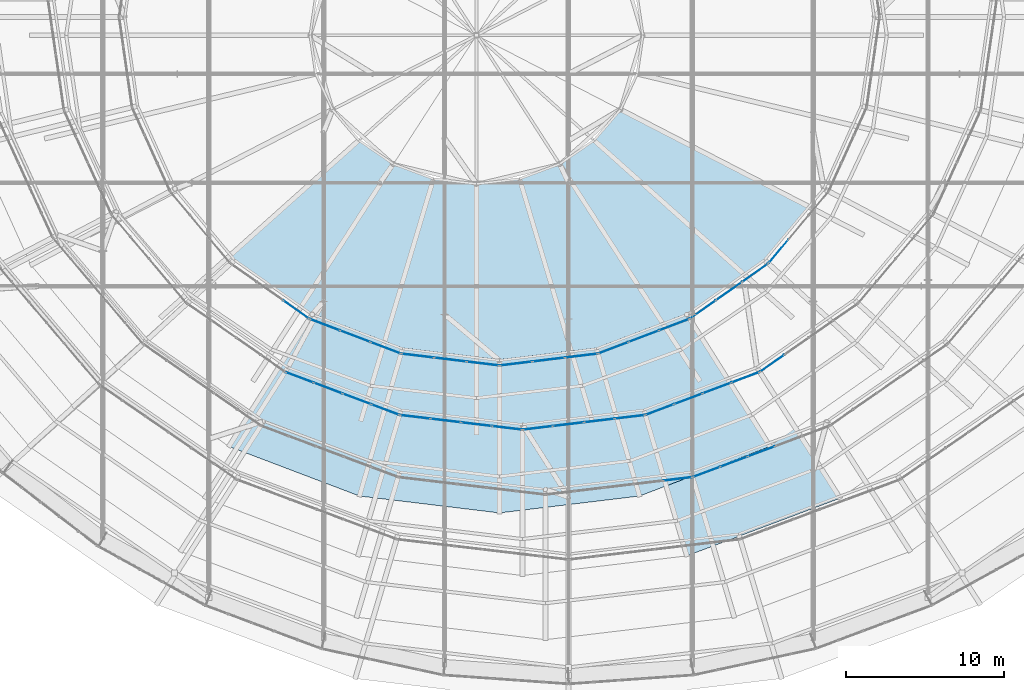
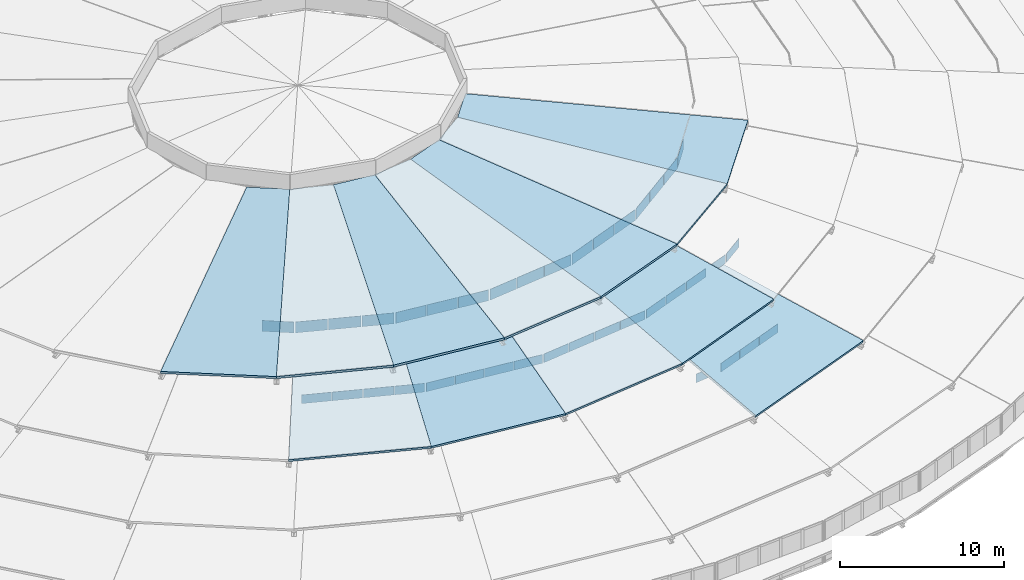
# One storey, part 145 of 173: 38 plates, 12 slabs, 17 elements without a shape of their own.
"""IFC4 building model written with IfcOpenShell, lengths in metres."""

from ifc_helpers import new_model, si_unit, direction, frame, origin, origin_2d, place, context, subcontext, project, spatial, polyline, rectangle, outline, extrude, material, layer, layer_set, type_object, element, aggregate, save


model = new_model("IFC4")

# Units and contexts
model_context = context("Model", 3, precision=1e-05, world=origin(), true_north=direction((0.0, 1.0)))
body_context = subcontext(model_context, "Body", "Model", "MODEL_VIEW")
ifc_project = project(units=[si_unit("LENGTHUNIT", "METRE"), si_unit("AREAUNIT", "SQUARE_METRE"), si_unit("VOLUMEUNIT", "CUBIC_METRE"), si_unit("PLANEANGLEUNIT", "RADIAN"), si_unit("MASSUNIT", "GRAM", prefix="KILO")], contexts=[model_context])

# Site, building, storey
site_placement = place(None, origin())
site = spatial("IfcSite", under=ifc_project, at=site_placement, CompositionType="ELEMENT")
building_placement = place(site_placement, origin())
building = spatial("IfcBuilding", under=site, at=building_placement, Name="Glasvene Arena", CompositionType="ELEMENT")
storey_placement = place(building_placement, frame((0.0, 0.0, 28.800048828125)))
storey = spatial("IfcBuildingStorey", under=building, at=storey_placement, Name="RF", CompositionType="ELEMENT", Elevation=28.800048828125)

# Curtain wall, plate
ifc_material_1 = material(Name="Low-emissivity laminated double glazing", Category="glass")
curtain_wall_type_1 = type_object("IfcCurtainWallType", Name="CW-PET2-936x75", PredefinedType="USERDEFINED", material=ifc_material_1)
curtain_wall_1_placement = place(storey_placement, frame((90.550048828125, 39.39990234375, 0.0)))
curtain_wall_1 = element("IfcCurtainWall", 1, at=curtain_wall_1_placement, inside=storey, type_object=curtain_wall_type_1, Name="Petal ring 2-3 clerestory curtain wall 19", ObjectType="CURTAIN WALL", PredefinedType="USERDEFINED")
ifc_layer_1 = layer(ifc_material_1, 0.028076171875)
ifc_layer_set_1 = layer_set([ifc_layer_1], Name="Low-emissivity laminated double glazing")
plate_type = type_object("IfcPlateType", Name="CW-GLZ-28", PredefinedType="CURTAIN_PANEL", material=ifc_layer_set_1)
plate_1_placement = place(storey_placement, frame((98.900146484375, 40.3935546875, 5.22998046875), z_axis=(0.0, 0.0, 1.0), x_axis=(0.992993828668, 0.118166222866, 0.0)))
plate_1 = element("IfcPlate", 2, at=plate_1_placement, type_object=plate_type, Name="CW-092 panel 5.1", PredefinedType="CURTAIN_PANEL", context=body_context, shape_type="SweptSolid", body=[
    extrude(rectangle(XDim=1.79638671875, YDim=0.028076171875, at=origin_2d()), origin(), (0.0, 0.0, 1.0), 0.64990234375),
])
aggregate(curtain_wall_1, [plate_1])

# Curtain wall, plates
curtain_wall_type_2 = type_object("IfcCurtainWallType", Name="CW-PET2-925x75", PredefinedType="USERDEFINED", material=ifc_material_1)
curtain_wall_2_placement = place(storey_placement, frame((99.841552734375, 40.505615234375, 0.0)))
curtain_wall_2 = element("IfcCurtainWall", 3, at=curtain_wall_2_placement, inside=storey, type_object=curtain_wall_type_2, Name="Petal ring 2-3 clerestory curtain wall 20", ObjectType="CURTAIN WALL", PredefinedType="USERDEFINED")
plate_2_placement = place(storey_placement, frame((100.71923828125, 40.834228515625, 5.22998046875), z_axis=(0.0, 0.0, 1.0), x_axis=(0.936510409342, 0.350639776971, 0.0)))
plate_2 = element("IfcPlate", 4, at=plate_2_placement, type_object=plate_type, Name="CW-091 panel 1.1", PredefinedType="CURTAIN_PANEL", context=body_context, shape_type="SweptSolid", body=[
    extrude(rectangle(XDim=1.774169921875, YDim=0.028076171875, at=origin_2d()), origin(), (0.0, 0.0, 1.0), 0.64990234375),
])
plate_3_placement = place(storey_placement, frame((102.439208984375, 41.478271484375, 5.22998046875), z_axis=(0.0, 0.0, 1.0), x_axis=(0.936510409342, 0.350639776971, 0.0)))
plate_3 = element("IfcPlate", 5, at=plate_3_placement, type_object=plate_type, Name="CW-091 panel 2.1", PredefinedType="CURTAIN_PANEL", context=body_context, shape_type="SweptSolid", body=[
    extrude(rectangle(XDim=1.799072265625, YDim=0.028076171875, at=origin_2d()), origin(), (0.0, 0.0, 1.0), 0.64990234375),
])
plate_4_placement = place(storey_placement, frame((104.1708984375, 42.126708984375, 5.22998046875), z_axis=(0.0, 0.0, 1.0), x_axis=(0.936510409342, 0.350639776971, 0.0)))
plate_4 = element("IfcPlate", 6, at=plate_4_placement, type_object=plate_type, Name="CW-091 panel 3.1", PredefinedType="CURTAIN_PANEL", context=body_context, shape_type="SweptSolid", body=[
    extrude(rectangle(XDim=1.799072265625, YDim=0.028076171875, at=origin_2d()), origin(), (0.0, 0.0, 1.0), 0.64990234375),
])
aggregate(curtain_wall_2, [plate_2, plate_3, plate_4])

curtain_wall_type_3 = type_object("IfcCurtainWallType", Name="CW-PET3-772x75", PredefinedType="USERDEFINED", material=ifc_material_1)
curtain_wall_3_placement = place(storey_placement, frame((74.125, 47.14404296875, 0.0)))
curtain_wall_3 = element("IfcCurtainWall", 7, at=curtain_wall_3_placement, inside=storey, type_object=curtain_wall_type_3, Name="Petal ring 3-4 clerestory curtain wall 17", ObjectType="CURTAIN WALL", PredefinedType="USERDEFINED")
plate_5_placement = place(storey_placement, frame((75.03955078125, 46.800048828125, 7.8798828125), z_axis=(0.0, 0.0, 1.0), x_axis=(0.93596551429, -0.352091687007, 0.0)))
plate_5 = element("IfcPlate", 8, at=plate_5_placement, type_object=plate_type, Name="CW-097 panel 1.1", PredefinedType="CURTAIN_PANEL", context=body_context, shape_type="SweptSolid", body=[
    extrude(rectangle(XDim=1.8544921875, YDim=0.028076171875, at=origin_2d()), origin(), (0.0, 0.0, 1.0), 0.64990234375),
])
plate_6_placement = place(storey_placement, frame((76.833740234375, 46.125, 7.8798828125), z_axis=(0.0, 0.0, 1.0), x_axis=(0.93596551429, -0.352091687007, 0.0)))
plate_6 = element("IfcPlate", 9, at=plate_6_placement, type_object=plate_type, Name="CW-097 panel 2.1", PredefinedType="CURTAIN_PANEL", context=body_context, shape_type="SweptSolid", body=[
    extrude(rectangle(XDim=1.87939453125, YDim=0.028076171875, at=origin_2d()), origin(), (0.0, 0.0, 1.0), 0.64990234375),
])
plate_7_placement = place(storey_placement, frame((78.6396484375, 45.44580078125, 7.8798828125), z_axis=(0.0, 0.0, 1.0), x_axis=(0.93596551429, -0.352091687007, 0.0)))
plate_7 = element("IfcPlate", 10, at=plate_7_placement, type_object=plate_type, Name="CW-097 panel 3.1", PredefinedType="CURTAIN_PANEL", context=body_context, shape_type="SweptSolid", body=[
    extrude(rectangle(XDim=1.87939453125, YDim=0.028076171875, at=origin_2d()), origin(), (0.0, 0.0, 1.0), 0.64990234375),
])
plate_8_placement = place(storey_placement, frame((80.433837890625, 44.770751953125, 7.8798828125), z_axis=(0.0, 0.0, 1.0), x_axis=(0.93596551429, -0.352091687007, 0.0)))
plate_8 = element("IfcPlate", 11, at=plate_8_placement, type_object=plate_type, Name="CW-097 panel 4.1", PredefinedType="CURTAIN_PANEL", context=body_context, shape_type="SweptSolid", body=[
    extrude(rectangle(XDim=1.8544921875, YDim=0.028076171875, at=origin_2d()), origin(), (0.0, 0.0, 1.0), 0.64990234375),
])
aggregate(curtain_wall_3, [plate_5, plate_6, plate_7, plate_8])

curtain_wall_type_4 = type_object("IfcCurtainWallType", Name="CW-PET3-781x75", PredefinedType="USERDEFINED", material=ifc_material_1)
curtain_wall_4_placement = place(storey_placement, frame((81.348388671875, 44.4267578125, 0.0)))
curtain_wall_4 = element("IfcCurtainWall", 12, at=curtain_wall_4_placement, inside=storey, type_object=curtain_wall_type_4, Name="Petal ring 3-4 clerestory curtain wall 18", ObjectType="CURTAIN WALL", PredefinedType="USERDEFINED")
plate_9_placement = place(storey_placement, frame((82.329833984375, 44.3095703125, 7.8798828125), z_axis=(0.0, 0.0, 1.0), x_axis=(0.992928145056, -0.11871688488, 0.0)))
plate_9 = element("IfcPlate", 13, at=plate_9_placement, type_object=plate_type, Name="CW-098 panel 1.1", PredefinedType="CURTAIN_PANEL", context=body_context, shape_type="SweptSolid", body=[
    extrude(rectangle(XDim=1.876708984375, YDim=0.028076171875, at=origin_2d()), origin(), (0.0, 0.0, 1.0), 0.64990234375),
])
plate_10_placement = place(storey_placement, frame((84.25537109375, 44.079345703125, 7.8798828125), z_axis=(0.0, 0.0, 1.0), x_axis=(0.992928145056, -0.11871688488, 0.0)))
plate_10 = element("IfcPlate", 14, at=plate_10_placement, type_object=plate_type, Name="CW-098 panel 2.1", PredefinedType="CURTAIN_PANEL", context=body_context, shape_type="SweptSolid", body=[
    extrude(rectangle(XDim=1.901611328125, YDim=0.028076171875, at=origin_2d()), origin(), (0.0, 0.0, 1.0), 0.64990234375),
])
plate_11_placement = place(storey_placement, frame((86.193115234375, 43.84765625, 7.8798828125), z_axis=(0.0, 0.0, 1.0), x_axis=(0.992928145056, -0.11871688488, 0.0)))
plate_11 = element("IfcPlate", 15, at=plate_11_placement, type_object=plate_type, Name="CW-098 panel 3.1", PredefinedType="CURTAIN_PANEL", context=body_context, shape_type="SweptSolid", body=[
    extrude(rectangle(XDim=1.901611328125, YDim=0.028076171875, at=origin_2d()), origin(), (0.0, 0.0, 1.0), 0.64990234375),
])
plate_12_placement = place(storey_placement, frame((88.11865234375, 43.617431640625, 7.8798828125), z_axis=(0.0, 0.0, 1.0), x_axis=(0.992928145056, -0.11871688488, 0.0)))
plate_12 = element("IfcPlate", 16, at=plate_12_placement, type_object=plate_type, Name="CW-098 panel 4.1", PredefinedType="CURTAIN_PANEL", context=body_context, shape_type="SweptSolid", body=[
    extrude(rectangle(XDim=1.876708984375, YDim=0.028076171875, at=origin_2d()), origin(), (0.0, 0.0, 1.0), 0.64990234375),
])
aggregate(curtain_wall_4, [plate_9, plate_10, plate_11, plate_12])

curtain_wall_5_placement = place(storey_placement, frame((89.10009765625, 43.5, 0.0)))
curtain_wall_5 = element("IfcCurtainWall", 17, at=curtain_wall_5_placement, inside=storey, type_object=curtain_wall_type_4, Name="Petal ring 3-4 clerestory curtain wall 19", ObjectType="CURTAIN WALL", PredefinedType="USERDEFINED")
plate_13_placement = place(storey_placement, frame((90.081298828125, 43.617431640625, 7.8798828125), z_axis=(0.0, 0.0, 1.0), x_axis=(0.992928145056, 0.11871688488, 0.0)))
plate_13 = element("IfcPlate", 18, at=plate_13_placement, type_object=plate_type, Name="CW-098 panel 1.1", PredefinedType="CURTAIN_PANEL", context=body_context, shape_type="SweptSolid", body=[
    extrude(rectangle(XDim=1.876708984375, YDim=0.028076171875, at=origin_2d()), origin(), (0.0, 0.0, 1.0), 0.64990234375),
])
plate_14_placement = place(storey_placement, frame((92.0068359375, 43.84765625, 7.8798828125), z_axis=(0.0, 0.0, 1.0), x_axis=(0.992928145056, 0.11871688488, 0.0)))
plate_14 = element("IfcPlate", 19, at=plate_14_placement, type_object=plate_type, Name="CW-098 panel 2.1", PredefinedType="CURTAIN_PANEL", context=body_context, shape_type="SweptSolid", body=[
    extrude(rectangle(XDim=1.901611328125, YDim=0.028076171875, at=origin_2d()), origin(), (0.0, 0.0, 1.0), 0.64990234375),
])
plate_15_placement = place(storey_placement, frame((93.94482421875, 44.079345703125, 7.8798828125), z_axis=(0.0, 0.0, 1.0), x_axis=(0.992928145056, 0.11871688488, 0.0)))
plate_15 = element("IfcPlate", 20, at=plate_15_placement, type_object=plate_type, Name="CW-098 panel 3.1", PredefinedType="CURTAIN_PANEL", context=body_context, shape_type="SweptSolid", body=[
    extrude(rectangle(XDim=1.901611328125, YDim=0.028076171875, at=origin_2d()), origin(), (0.0, 0.0, 1.0), 0.64990234375),
])
plate_16_placement = place(storey_placement, frame((95.8701171875, 44.3095703125, 7.8798828125), z_axis=(0.0, 0.0, 1.0), x_axis=(0.992928145056, 0.11871688488, 0.0)))
plate_16 = element("IfcPlate", 21, at=plate_16_placement, type_object=plate_type, Name="CW-098 panel 4.1", PredefinedType="CURTAIN_PANEL", context=body_context, shape_type="SweptSolid", body=[
    extrude(rectangle(XDim=1.876708984375, YDim=0.028076171875, at=origin_2d()), origin(), (0.0, 0.0, 1.0), 0.64990234375),
])
aggregate(curtain_wall_5, [plate_13, plate_14, plate_15, plate_16])

curtain_wall_6_placement = place(storey_placement, frame((96.8515625, 44.4267578125, 0.0)))
curtain_wall_6 = element("IfcCurtainWall", 22, at=curtain_wall_6_placement, inside=storey, type_object=curtain_wall_type_3, Name="Petal ring 3-4 clerestory curtain wall 20", ObjectType="CURTAIN WALL", PredefinedType="USERDEFINED")
plate_17_placement = place(storey_placement, frame((97.76611328125, 44.770751953125, 7.8798828125), z_axis=(0.0, 0.0, 1.0), x_axis=(0.93596551429, 0.352091687007, 0.0)))
plate_17 = element("IfcPlate", 23, at=plate_17_placement, type_object=plate_type, Name="CW-097 panel 1.1", PredefinedType="CURTAIN_PANEL", context=body_context, shape_type="SweptSolid", body=[
    extrude(rectangle(XDim=1.8544921875, YDim=0.028076171875, at=origin_2d()), origin(), (0.0, 0.0, 1.0), 0.64990234375),
])
plate_18_placement = place(storey_placement, frame((99.560302734375, 45.44580078125, 7.8798828125), z_axis=(0.0, 0.0, 1.0), x_axis=(0.93596551429, 0.352091687007, 0.0)))
plate_18 = element("IfcPlate", 24, at=plate_18_placement, type_object=plate_type, Name="CW-097 panel 2.1", PredefinedType="CURTAIN_PANEL", context=body_context, shape_type="SweptSolid", body=[
    extrude(rectangle(XDim=1.87939453125, YDim=0.028076171875, at=origin_2d()), origin(), (0.0, 0.0, 1.0), 0.64990234375),
])
plate_19_placement = place(storey_placement, frame((101.3662109375, 46.125, 7.8798828125), z_axis=(0.0, 0.0, 1.0), x_axis=(0.93596551429, 0.352091687007, 0.0)))
plate_19 = element("IfcPlate", 25, at=plate_19_placement, type_object=plate_type, Name="CW-097 panel 3.1", PredefinedType="CURTAIN_PANEL", context=body_context, shape_type="SweptSolid", body=[
    extrude(rectangle(XDim=1.87939453125, YDim=0.028076171875, at=origin_2d()), origin(), (0.0, 0.0, 1.0), 0.64990234375),
])
plate_20_placement = place(storey_placement, frame((103.160400390625, 46.800048828125, 7.8798828125), z_axis=(0.0, 0.0, 1.0), x_axis=(0.93596551429, 0.352091687007, 0.0)))
plate_20 = element("IfcPlate", 26, at=plate_20_placement, type_object=plate_type, Name="CW-097 panel 4.1", PredefinedType="CURTAIN_PANEL", context=body_context, shape_type="SweptSolid", body=[
    extrude(rectangle(XDim=1.8544921875, YDim=0.028076171875, at=origin_2d()), origin(), (0.0, 0.0, 1.0), 0.64990234375),
])
aggregate(curtain_wall_6, [plate_17, plate_18, plate_19, plate_20])

# Curtain wall, plate
curtain_wall_type_5 = type_object("IfcCurtainWallType", Name="CW-PET3-756x75", PredefinedType="USERDEFINED", material=ifc_material_1)
curtain_wall_7_placement = place(storey_placement, frame((104.074951171875, 47.14404296875, 0.0)))
curtain_wall_7 = element("IfcCurtainWall", 27, at=curtain_wall_7_placement, inside=storey, type_object=curtain_wall_type_5, Name="Petal ring 3-4 clerestory curtain wall 21", ObjectType="CURTAIN WALL", PredefinedType="USERDEFINED")
plate_21_placement = place(storey_placement, frame((104.860595703125, 47.691650390625, 7.8798828125), z_axis=(0.0, 0.0, 1.0), x_axis=(0.82043313701, 0.571742483725, 0.0)))
plate_21 = element("IfcPlate", 28, at=plate_21_placement, type_object=plate_type, Name="CW-096 panel 1.1", PredefinedType="CURTAIN_PANEL", context=body_context, shape_type="SweptSolid", body=[
    extrude(rectangle(XDim=1.815185546875, YDim=0.028076171875, at=origin_2d()), origin(), (0.0, 0.0, 1.0), 0.64990234375),
])
aggregate(curtain_wall_7, [plate_21])

curtain_wall_type_6 = type_object("IfcCurtainWallType", Name="CW-PET4-608x92", PredefinedType="USERDEFINED", material=ifc_material_1)
curtain_wall_8_placement = place(storey_placement, frame((70.679443359375, 53.99365234375, 0.0)))
curtain_wall_8 = element("IfcCurtainWall", 29, at=curtain_wall_8_placement, inside=storey, type_object=curtain_wall_type_6, Name="Petal ring 4-5 clerestory curtain wall 16", ObjectType="CURTAIN WALL", PredefinedType="USERDEFINED")
plate_22_placement = place(storey_placement, frame((74.811279296875, 51.08740234375, 10.580078125), z_axis=(0.0, 0.0, 1.0), x_axis=(0.817924864707, -0.575325052204, 0.0)))
plate_22 = element("IfcPlate", 30, at=plate_22_placement, type_object=plate_type, Name="CW-102 panel 3.1", PredefinedType="CURTAIN_PANEL", context=body_context, shape_type="SweptSolid", body=[
    extrude(rectangle(XDim=1.95068359375, YDim=0.028076171875, at=origin_2d()), origin(), (0.0, 0.0, 1.0), 0.81591796875),
])
aggregate(curtain_wall_8, [plate_22])

# Curtain wall, plates
curtain_wall_type_7 = type_object("IfcCurtainWallType", Name="CW-PET4-619x92", PredefinedType="USERDEFINED", material=ifc_material_1)
curtain_wall_9_placement = place(storey_placement, frame((75.64990234375, 50.497314453125, 0.0)))
curtain_wall_9 = element("IfcCurtainWall", 31, at=curtain_wall_9_placement, inside=storey, type_object=curtain_wall_type_7, Name="Petal ring 4-5 clerestory curtain wall 17", ObjectType="CURTAIN WALL", PredefinedType="USERDEFINED")
plate_23_placement = place(storey_placement, frame((76.62646484375, 50.126708984375, 10.580078125), z_axis=(0.0, 0.0, 1.0), x_axis=(0.934877615197, -0.354970202415, 0.0)))
plate_23 = element("IfcPlate", 32, at=plate_23_placement, type_object=plate_type, Name="CW-103 panel 1.1", PredefinedType="CURTAIN_PANEL", context=body_context, shape_type="SweptSolid", body=[
    extrude(rectangle(XDim=1.98876953125, YDim=0.028076171875, at=origin_2d()), origin(), (0.0, 0.0, 1.0), 0.81591796875),
])
plate_24_placement = place(storey_placement, frame((78.544189453125, 49.3984375, 10.580078125), z_axis=(0.0, 0.0, 1.0), x_axis=(0.934877615197, -0.354970202415, 0.0)))
plate_24 = element("IfcPlate", 33, at=plate_24_placement, type_object=plate_type, Name="CW-103 panel 2.1", PredefinedType="CURTAIN_PANEL", context=body_context, shape_type="SweptSolid", body=[
    extrude(rectangle(XDim=2.013916015625, YDim=0.028076171875, at=origin_2d()), origin(), (0.0, 0.0, 1.0), 0.81591796875),
])
plate_25_placement = place(storey_placement, frame((80.4619140625, 48.67041015625, 10.580078125), z_axis=(0.0, 0.0, 1.0), x_axis=(0.934877615197, -0.354970202415, 0.0)))
plate_25 = element("IfcPlate", 34, at=plate_25_placement, type_object=plate_type, Name="CW-103 panel 3.1", PredefinedType="CURTAIN_PANEL", context=body_context, shape_type="SweptSolid", body=[
    extrude(rectangle(XDim=1.98876953125, YDim=0.028076171875, at=origin_2d()), origin(), (0.0, 0.0, 1.0), 0.81591796875),
])
aggregate(curtain_wall_9, [plate_23, plate_24, plate_25])

curtain_wall_type_8 = type_object("IfcCurtainWallType", Name="CW-PET4-626x92", PredefinedType="USERDEFINED", material=ifc_material_1)
curtain_wall_10_placement = place(storey_placement, frame((81.438232421875, 48.299560546875, 0.0)))
curtain_wall_10 = element("IfcCurtainWall", 35, at=curtain_wall_10_placement, inside=storey, type_object=curtain_wall_type_8, Name="Petal ring 4-5 clerestory curtain wall 18", ObjectType="CURTAIN WALL", PredefinedType="USERDEFINED")
plate_26_placement = place(storey_placement, frame((82.486083984375, 48.173095703125, 10.580078125), z_axis=(0.0, 0.0, 1.0), x_axis=(0.992797284705, -0.119806308194, 0.0)))
plate_26 = element("IfcPlate", 36, at=plate_26_placement, type_object=plate_type, Name="CW-104 panel 1.1", PredefinedType="CURTAIN_PANEL", context=body_context, shape_type="SweptSolid", body=[
    extrude(rectangle(XDim=2.010498046875, YDim=0.028076171875, at=origin_2d()), origin(), (0.0, 0.0, 1.0), 0.81591796875),
])
plate_27_placement = place(storey_placement, frame((84.544189453125, 47.9248046875, 10.580078125), z_axis=(0.0, 0.0, 1.0), x_axis=(0.992797284705, -0.119806308194, 0.0)))
plate_27 = element("IfcPlate", 37, at=plate_27_placement, type_object=plate_type, Name="CW-104 panel 2.1", PredefinedType="CURTAIN_PANEL", context=body_context, shape_type="SweptSolid", body=[
    extrude(rectangle(XDim=2.03564453125, YDim=0.028076171875, at=origin_2d()), origin(), (0.0, 0.0, 1.0), 0.81591796875),
])
plate_28_placement = place(storey_placement, frame((86.602294921875, 47.676513671875, 10.580078125), z_axis=(0.0, 0.0, 1.0), x_axis=(0.992797284705, -0.119806308194, 0.0)))
plate_28 = element("IfcPlate", 38, at=plate_28_placement, type_object=plate_type, Name="CW-104 panel 3.1", PredefinedType="CURTAIN_PANEL", context=body_context, shape_type="SweptSolid", body=[
    extrude(rectangle(XDim=2.010498046875, YDim=0.028076171875, at=origin_2d()), origin(), (0.0, 0.0, 1.0), 0.81591796875),
])
aggregate(curtain_wall_10, [plate_26, plate_27, plate_28])

curtain_wall_11_placement = place(storey_placement, frame((87.64990234375, 47.550048828125, 0.0)))
curtain_wall_11 = element("IfcCurtainWall", 39, at=curtain_wall_11_placement, inside=storey, type_object=curtain_wall_type_8, Name="Petal ring 4-5 clerestory curtain wall 19", ObjectType="CURTAIN WALL", PredefinedType="USERDEFINED")
plate_29_placement = place(storey_placement, frame((88.69775390625, 47.676513671875, 10.580078125), z_axis=(0.0, 0.0, 1.0), x_axis=(0.992797284705, 0.119806308194, 0.0)))
plate_29 = element("IfcPlate", 40, at=plate_29_placement, type_object=plate_type, Name="CW-104 panel 1.1", PredefinedType="CURTAIN_PANEL", context=body_context, shape_type="SweptSolid", body=[
    extrude(rectangle(XDim=2.010498046875, YDim=0.028076171875, at=origin_2d()), origin(), (0.0, 0.0, 1.0), 0.81591796875),
])
plate_30_placement = place(storey_placement, frame((90.755859375, 47.9248046875, 10.580078125), z_axis=(0.0, 0.0, 1.0), x_axis=(0.992797284705, 0.119806308194, 0.0)))
plate_30 = element("IfcPlate", 41, at=plate_30_placement, type_object=plate_type, Name="CW-104 panel 2.1", PredefinedType="CURTAIN_PANEL", context=body_context, shape_type="SweptSolid", body=[
    extrude(rectangle(XDim=2.03564453125, YDim=0.028076171875, at=origin_2d()), origin(), (0.0, 0.0, 1.0), 0.81591796875),
])
plate_31_placement = place(storey_placement, frame((92.81396484375, 48.173095703125, 10.580078125), z_axis=(0.0, 0.0, 1.0), x_axis=(0.992797284705, 0.119806308194, 0.0)))
plate_31 = element("IfcPlate", 42, at=plate_31_placement, type_object=plate_type, Name="CW-104 panel 3.1", PredefinedType="CURTAIN_PANEL", context=body_context, shape_type="SweptSolid", body=[
    extrude(rectangle(XDim=2.010498046875, YDim=0.028076171875, at=origin_2d()), origin(), (0.0, 0.0, 1.0), 0.81591796875),
])
aggregate(curtain_wall_11, [plate_29, plate_30, plate_31])

curtain_wall_12_placement = place(storey_placement, frame((93.86181640625, 48.299560546875, 0.0)))
curtain_wall_12 = element("IfcCurtainWall", 43, at=curtain_wall_12_placement, inside=storey, type_object=curtain_wall_type_7, Name="Petal ring 4-5 clerestory curtain wall 20", ObjectType="CURTAIN WALL", PredefinedType="USERDEFINED")
plate_32_placement = place(storey_placement, frame((94.838134765625, 48.67041015625, 10.580078125), z_axis=(0.0, 0.0, 1.0), x_axis=(0.934877615197, 0.354970202415, 0.0)))
plate_32 = element("IfcPlate", 44, at=plate_32_placement, type_object=plate_type, Name="CW-103 panel 1.1", PredefinedType="CURTAIN_PANEL", context=body_context, shape_type="SweptSolid", body=[
    extrude(rectangle(XDim=1.98876953125, YDim=0.028076171875, at=origin_2d()), origin(), (0.0, 0.0, 1.0), 0.81591796875),
])
plate_33_placement = place(storey_placement, frame((96.755859375, 49.3984375, 10.580078125), z_axis=(0.0, 0.0, 1.0), x_axis=(0.934877615197, 0.354970202415, 0.0)))
plate_33 = element("IfcPlate", 45, at=plate_33_placement, type_object=plate_type, Name="CW-103 panel 2.1", PredefinedType="CURTAIN_PANEL", context=body_context, shape_type="SweptSolid", body=[
    extrude(rectangle(XDim=2.013916015625, YDim=0.028076171875, at=origin_2d()), origin(), (0.0, 0.0, 1.0), 0.81591796875),
])
plate_34_placement = place(storey_placement, frame((98.673583984375, 50.126708984375, 10.580078125), z_axis=(0.0, 0.0, 1.0), x_axis=(0.934877615197, 0.354970202415, 0.0)))
plate_34 = element("IfcPlate", 46, at=plate_34_placement, type_object=plate_type, Name="CW-103 panel 3.1", PredefinedType="CURTAIN_PANEL", context=body_context, shape_type="SweptSolid", body=[
    extrude(rectangle(XDim=1.98876953125, YDim=0.028076171875, at=origin_2d()), origin(), (0.0, 0.0, 1.0), 0.81591796875),
])
aggregate(curtain_wall_12, [plate_32, plate_33, plate_34])

curtain_wall_13_placement = place(storey_placement, frame((99.64990234375, 50.497314453125, 0.0)))
curtain_wall_13 = element("IfcCurtainWall", 47, at=curtain_wall_13_placement, inside=storey, type_object=curtain_wall_type_6, Name="Petal ring 4-5 clerestory curtain wall 21", ObjectType="CURTAIN WALL", PredefinedType="USERDEFINED")
plate_35_placement = place(storey_placement, frame((100.48876953125, 51.08740234375, 10.580078125), z_axis=(0.0, 0.0, 1.0), x_axis=(0.817924864707, 0.575325052204, 0.0)))
plate_35 = element("IfcPlate", 48, at=plate_35_placement, type_object=plate_type, Name="CW-102 panel 1.1", PredefinedType="CURTAIN_PANEL", context=body_context, shape_type="SweptSolid", body=[
    extrude(rectangle(XDim=1.95068359375, YDim=0.028076171875, at=origin_2d()), origin(), (0.0, 0.0, 1.0), 0.81591796875),
])
plate_36_placement = place(storey_placement, frame((102.13525390625, 52.24560546875, 10.580078125), z_axis=(0.0, 0.0, 1.0), x_axis=(0.817924864707, 0.575325052204, 0.0)))
plate_36 = element("IfcPlate", 49, at=plate_36_placement, type_object=plate_type, Name="CW-102 panel 2.1", PredefinedType="CURTAIN_PANEL", context=body_context, shape_type="SweptSolid", body=[
    extrude(rectangle(XDim=1.9755859375, YDim=0.028076171875, at=origin_2d()), origin(), (0.0, 0.0, 1.0), 0.81591796875),
])
plate_37_placement = place(storey_placement, frame((103.781982421875, 53.40380859375, 10.580078125), z_axis=(0.0, 0.0, 1.0), x_axis=(0.817924864707, 0.575325052204, 0.0)))
plate_37 = element("IfcPlate", 50, at=plate_37_placement, type_object=plate_type, Name="CW-102 panel 3.1", PredefinedType="CURTAIN_PANEL", context=body_context, shape_type="SweptSolid", body=[
    extrude(rectangle(XDim=1.95068359375, YDim=0.028076171875, at=origin_2d()), origin(), (0.0, 0.0, 1.0), 0.81591796875),
])
aggregate(curtain_wall_13, [plate_35, plate_36, plate_37])

# Curtain wall, plate
curtain_wall_type_9 = type_object("IfcCurtainWallType", Name="CW-PET4-594x92", PredefinedType="USERDEFINED", material=ifc_material_1)
curtain_wall_14_placement = place(storey_placement, frame((104.62060546875, 53.99365234375, 0.0)))
curtain_wall_14 = element("IfcCurtainWall", 51, at=curtain_wall_14_placement, inside=storey, type_object=curtain_wall_type_9, Name="Petal ring 4-5 clerestory curtain wall 22", ObjectType="CURTAIN WALL", PredefinedType="USERDEFINED")
plate_38_placement = place(storey_placement, frame((105.264404296875, 54.7626953125, 10.580078125), z_axis=(0.0, 0.0, 1.0), x_axis=(0.64187958935, 0.766805446496, 0.0)))
plate_38 = element("IfcPlate", 52, at=plate_38_placement, type_object=plate_type, Name="CW-101 panel 1.1", PredefinedType="CURTAIN_PANEL", context=body_context, shape_type="SweptSolid", body=[
    extrude(rectangle(XDim=1.90576171875, YDim=0.028076171875, at=origin_2d()), origin(), (0.0, 0.0, 1.0), 0.81591796875),
])
aggregate(curtain_wall_14, [plate_38])

# Roof, slab
ifc_material_2 = material(Name="Smooth matte white insulated roof panel")
ifc_layer_2 = layer(ifc_material_2, 0.179931640625)
ifc_layer_set_2 = layer_set([ifc_layer_2], Name="Smooth matte white insulated roof panel")
roof_type = type_object("IfcRoofType", Name="RF-PETAL-ASSY", PredefinedType="PAVILION_ROOF", material=ifc_layer_set_2)
roof_1_placement = place(storey_placement, frame((89.10009765625, 70.699951171875, 5.14990234375)))
roof_1 = element("IfcRoof", 53, at=roof_1_placement, inside=storey, type_object=roof_type, Name="Shifted white elliptical petal roof ring 3", PredefinedType="PAVILION_ROOF")
ifc_material_3 = material(Name="Precast concrete C50/60", Category="concrete")
ifc_layer_3 = layer(ifc_material_3, 0.179931640625)
ifc_layer_set_3 = layer_set([ifc_layer_3], Name="Precast concrete C50/60")
slab_type = type_object("IfcSlabType", Name="SL-PETAL-180", PredefinedType="ROOF", material=ifc_layer_set_3)
slab_1_placement = place(storey_placement, frame((99.478515625, 35.540283203125, 5.14990234375), z_axis=(0.092243481839, -0.24532348173, 0.965042760384), x_axis=(0.936019939147, 0.351946975436, -9.12767e-07)))
slab_1 = element("IfcSlab", 54, at=slab_1_placement, type_object=slab_type, Name="White petal roof slab ring 3 bay 20", PredefinedType="ROOF", context=body_context, shape_type="SweptSolid", body=[
    extrude(outline(polyline([(0.0, 0.0), (10.33245704797012, -4.440892098500626e-16), (8.323373258945358, 9.920563936675878), (0.6964650471499145, 9.920501391167152), (0.0, 0.0)])), origin(), (0.0, 0.0, -1.0), 0.179931640625),
])
aggregate(roof_1, [slab_1])

# Roof, slabs
roof_2_placement = place(storey_placement, frame((87.64990234375, 69.550048828125, 7.800048828125)))
roof_2 = element("IfcRoof", 55, at=roof_2_placement, inside=storey, type_object=roof_type, Name="Shifted white elliptical petal roof ring 4", PredefinedType="PAVILION_ROOF")
slab_2_placement = place(storey_placement, frame((70.574951171875, 42.443359375, 7.800048828125), z_axis=(-0.093939756872, -0.247433627531, 0.964340148519), x_axis=(0.934890958327, -0.354935058903, 5.80879e-07)))
slab_2 = element("IfcSlab", 56, at=slab_2_placement, type_object=slab_type, Name="White petal roof slab ring 4 bay 17", PredefinedType="ROOF", context=body_context, shape_type="SweptSolid", body=[
    extrude(outline(polyline([(0.0, 0.0), (8.809933985483951, -4.440892098500626e-16), (8.05108883392578, 10.012234001811441), (1.9499825273197164, 10.012266727984745), (0.0, 0.0)])), origin(), (0.0, 0.0, -1.0), 0.179931640625),
])
slab_3_placement = place(storey_placement, frame((78.811279296875, 39.31640625, 7.800048828125), z_axis=(-0.032013248675, -0.265333668684, 0.963625028822), x_axis=(0.992799944777, -0.11978426295, -4.8174e-08)))
slab_3 = element("IfcSlab", 57, at=slab_3_placement, type_object=slab_type, Name="White petal roof slab ring 4 bay 18", PredefinedType="ROOF", context=body_context, shape_type="SweptSolid", body=[
    extrude(outline(polyline([(0.0, 0.0), (8.902723159505118, 2.220446049250313e-16), (7.749945721980216, 9.915150758607), (1.5844604654185472, 9.915148042496698), (0.0, 0.0)])), origin(), (0.0, 0.0, -1.0), 0.179931640625),
])
slab_4_placement = place(storey_placement, frame((87.64990234375, 38.25, 7.800048828125), z_axis=(0.032012689539, -0.265333364562, 0.963625131137), x_axis=(0.992800326737, 0.119781097136, -2.97959e-07)))
slab_4 = element("IfcSlab", 58, at=slab_4_placement, type_object=slab_type, Name="White petal roof slab ring 4 bay 19", PredefinedType="ROOF", context=body_context, shape_type="SweptSolid", body=[
    extrude(outline(polyline([(0.0, 0.0), (8.902965542351362, 2.220446049250313e-16), (7.3182313097477, 9.915171206858396), (1.1527460532089182, 9.915154407429837), (0.0, 0.0)])), origin(), (0.0, 0.0, -1.0), 0.179931640625),
])
slab_5_placement = place(storey_placement, frame((96.48876953125, 39.31640625, 7.800048828125), z_axis=(0.093937958255, -0.247433223377, 0.964340427426), x_axis=(0.934891102811, 0.354934678335, 9.02337e-07)))
slab_5 = element("IfcSlab", 59, at=slab_5_placement, type_object=slab_type, Name="White petal roof slab ring 4 bay 20", PredefinedType="ROOF", context=body_context, shape_type="SweptSolid", body=[
    extrude(outline(polyline([(0.0, 0.0), (8.809933985481692, 0.0), (6.859951458165993, 10.012266727983539), (0.7586169066771604, 10.0123175657858), (0.0, 0.0)])), origin(), (0.0, 0.0, -1.0), 0.179931640625),
])
aggregate(roof_2, [slab_2, slab_3, slab_4, slab_5])

roof_3_placement = place(storey_placement, frame((86.199951171875, 68.39990234375, 10.949951171875)))
roof_3 = element("IfcRoof", 60, at=roof_3_placement, inside=storey, type_object=roof_type, Name="Shifted white elliptical petal roof ring 5", PredefinedType="PAVILION_ROOF")
slab_6_placement = place(storey_placement, frame((66.259521484375, 50.580810546875, 10.949951171875), z_axis=(-0.087395094492, -0.127462503428, 0.987985530096), x_axis=(0.824750487698, -0.565496801973, -4.9723e-07)))
slab_6 = element("IfcSlab", 61, at=slab_6_placement, type_object=slab_type, Name="White petal roof slab ring 5 bay 16", PredefinedType="ROOF", context=body_context, shape_type="SweptSolid", body=[
    extrude(outline(polyline([(0.0, 0.0), (7.081628408193845, -4.440892098500626e-16), (6.6343740543558445, 16.50023546222882), (3.9977672273111526, 16.5002041952875), (0.0, 0.0)])), origin(), (0.0, 0.0, -1.0), 0.179931640625),
])
slab_7_placement = place(storey_placement, frame((72.10009765625, 46.576171875, 10.949951171875), z_axis=(-0.054908224497, -0.148342614002, 0.987410530506), x_axis=(0.937812233532, -0.347142931126, -2.516867e-06)))
slab_7 = element("IfcSlab", 62, at=slab_7_placement, type_object=slab_type, Name="White petal roof slab ring 5 bay 17", PredefinedType="ROOF", context=body_context, shape_type="SweptSolid", body=[
    extrude(outline(polyline([(0.0, 0.0), (7.252273219608207, 4.440892098500626e-16), (6.244675033937194, 16.121433824040846), (3.544331281245868, 16.121275462396685), (0.0, 0.0)])), origin(), (0.0, 0.0, -1.0), 0.179931640625),
])
slab_8_placement = place(storey_placement, frame((78.9013671875, 44.05859375, 10.949951171875), z_axis=(-0.018723550572, -0.159136603637, 0.987079009014), x_axis=(0.993150795566, -0.116839621973, 1.872733e-06)))
slab_8 = element("IfcSlab", 63, at=slab_8_placement, type_object=slab_type, Name="White petal roof slab ring 5 bay 18", PredefinedType="ROOF", context=body_context, shape_type="SweptSolid", body=[
    extrude(outline(polyline([(0.0, 0.0), (7.348917964826523, 0.0), (5.50085423726992, 15.914436378641895), (2.7645697132876013, 15.914554249089605), (0.0, 0.0)])), origin(), (0.0, 0.0, -1.0), 0.179931640625),
])
slab_9_placement = place(storey_placement, frame((86.199951171875, 43.199951171875, 10.949951171875), z_axis=(0.018723085372, -0.159136528601, 0.987079029936), x_axis=(0.993151245905, 0.116835793975, -2.039244e-06)))
slab_9 = element("IfcSlab", 64, at=slab_9_placement, type_object=slab_type, Name="White petal roof slab ring 5 bay 19", PredefinedType="ROOF", context=body_context, shape_type="SweptSolid", body=[
    extrude(outline(polyline([(0.0, 0.0), (7.3491604333440455, -1.1102230246251565e-16), (4.584287278475749, 15.914571812870411), (1.8480027549717082, 15.914443458963051), (0.0, 0.0)])), origin(), (0.0, 0.0, -1.0), 0.179931640625),
])
slab_10_placement = place(storey_placement, frame((93.498779296875, 44.05859375, 10.949951171875), z_axis=(0.054907939486, -0.148341844002, 0.987410662035), x_axis=(0.937812233531, 0.34714293113, 2.516854e-06)))
slab_10 = element("IfcSlab", 65, at=slab_10_placement, type_object=slab_type, Name="White petal roof slab ring 5 bay 20", PredefinedType="ROOF", context=body_context, shape_type="SweptSolid", body=[
    extrude(outline(polyline([(0.0, 0.0), (7.252273219608207, 0.0), (3.7077129803316797, 16.12135914719888), (1.0073692276403552, 16.121517508864134), (0.0, 0.0)])), origin(), (0.0, 0.0, -1.0), 0.179931640625),
])
slab_11_placement = place(storey_placement, frame((100.300048828125, 46.576171875, 10.949951171875), z_axis=(0.087396412071, -0.127460542508, 0.987985666526), x_axis=(0.82473953396, 0.565512777152, 1.304888e-06)))
slab_11 = element("IfcSlab", 66, at=slab_11_placement, type_object=slab_type, Name="White petal roof slab ring 5 bay 21", PredefinedType="ROOF", context=body_context, shape_type="SweptSolid", body=[
    extrude(outline(polyline([(0.0, 0.0), (7.081427054445596, -4.440892098500626e-16), (3.083977653860052, 16.500281196986606), (0.44737082792092275, 16.50036325010491), (0.0, 0.0)])), origin(), (0.0, 0.0, -1.0), 0.179931640625),
])
slab_12_placement = place(storey_placement, frame((106.140380859375, 50.580810546875, 10.949951171875), z_axis=(0.113978175879, -0.097867074394, 0.988651106899), x_axis=(0.651445885502, 0.758695102305, 6.6384e-07)))
slab_12 = element("IfcSlab", 67, at=slab_12_placement, type_object=slab_type, Name="White petal roof slab ring 5 bay 22", PredefinedType="ROOF", context=body_context, shape_type="SweptSolid", body=[
    extrude(outline(polyline([(0.0, 0.0), (6.879229631679142, 0.0), (2.893569479254145, 16.974309572246447), (0.3320837268721892, 16.974351289174038), (0.0, 0.0)])), origin(), (0.0, 0.0, -1.0), 0.179931640625),
])
aggregate(roof_3, [slab_6, slab_7, slab_8, slab_9, slab_10, slab_11, slab_12])

save(model, "model.ifc")
